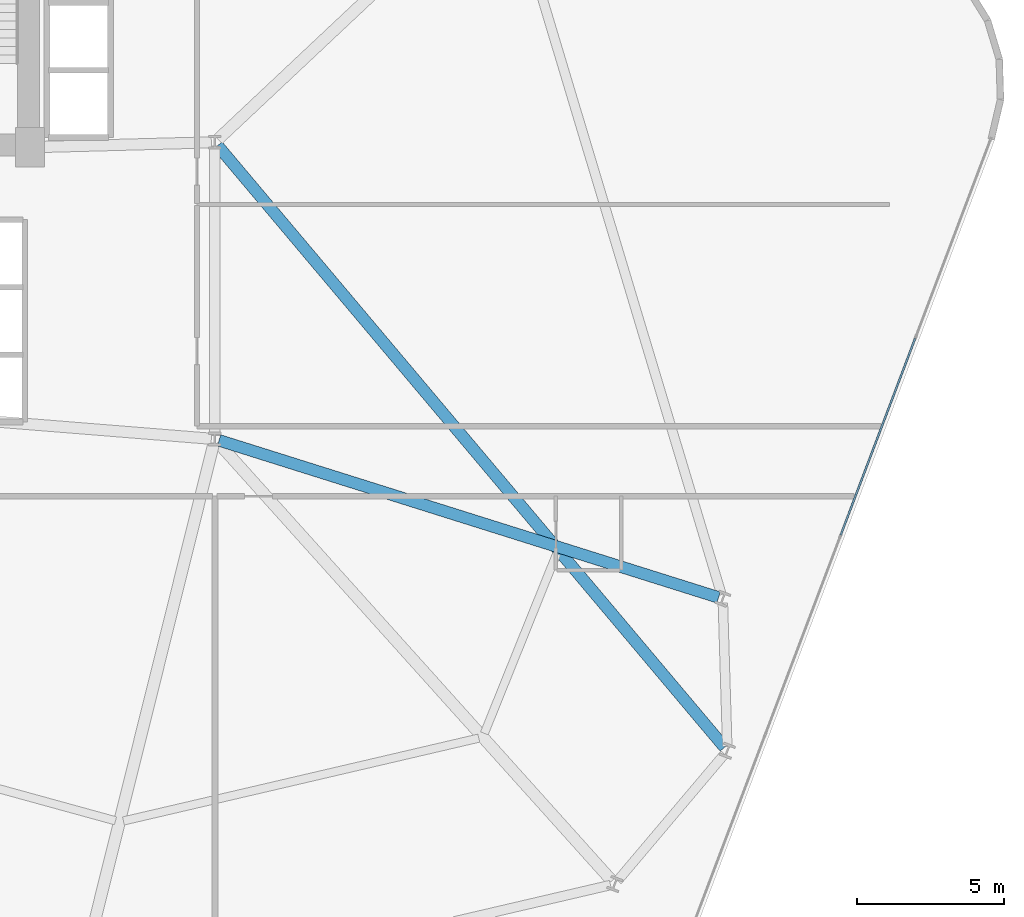
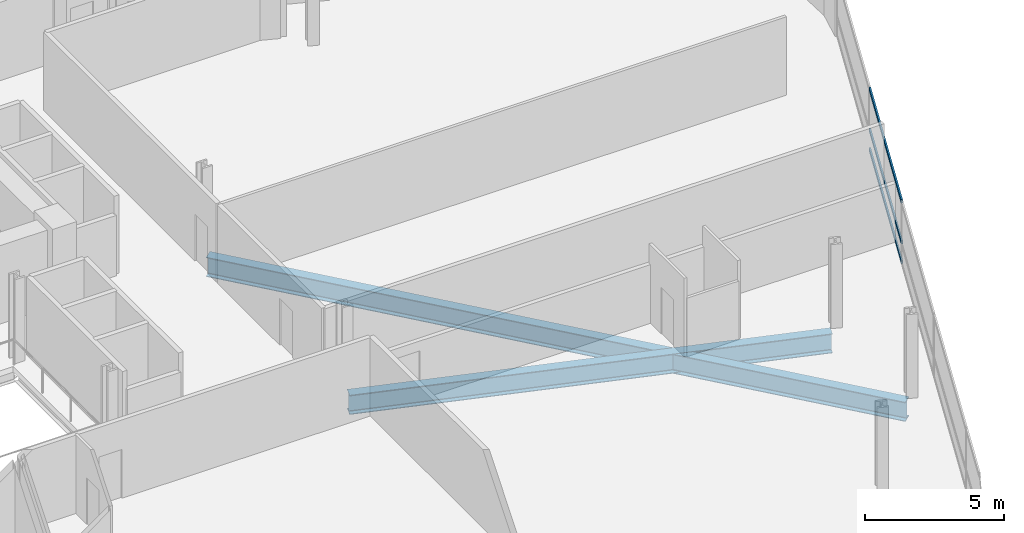
# One storey, part 13 of 25: 3 members, 2 beams, 1 element without a shape of its own.
"""IFC4 building model written with IfcOpenShell, lengths in metres."""

from ifc_helpers import new_model, si_unit, direction, frame, origin, origin_2d, place, context, subcontext, project, spatial, hollow_rectangle, i_section, extrude, material, layer, layer_set, material_profile, profile_set, type_object, element, aggregate, save


model = new_model("IFC4")

# Units and contexts
model_context = context("Model", 3, precision=1e-05, world=origin(), true_north=direction((0.0, 1.0)))
body_context = subcontext(model_context, "Body", "Model", "MODEL_VIEW")
ifc_project = project(units=[si_unit("LENGTHUNIT", "METRE"), si_unit("AREAUNIT", "SQUARE_METRE"), si_unit("VOLUMEUNIT", "CUBIC_METRE"), si_unit("PLANEANGLEUNIT", "RADIAN"), si_unit("MASSUNIT", "GRAM", prefix="KILO")], contexts=[model_context])

# Site, building, storey
site_placement = place(None, origin())
site = spatial("IfcSite", under=ifc_project, at=site_placement, CompositionType="ELEMENT")
building_placement = place(site_placement, origin())
building = spatial("IfcBuilding", under=site, at=building_placement, Name="Varnelok Gate Tower", CompositionType="ELEMENT")
storey_placement = place(building_placement, frame((0.0, 0.0, 105.800048828125)))
storey = spatial("IfcBuildingStorey", under=building, at=storey_placement, Name="L26", CompositionType="ELEMENT", Elevation=105.800048828125)

# Beams
ifc_material_1 = material(Name="Structural Steel ASTM A992 Grade 50", Category="steel")
ifc_material_profile_1 = material_profile(ifc_material_1, i_section(OverallWidth=0.39892578125, OverallDepth=0.85498046875, WebThickness=0.018310546875, FlangeThickness=0.029296875, FilletRadius=0.02392578125, at=origin_2d()), Name="W33X201")
ifc_profile_set_1 = profile_set([ifc_material_profile_1], Name="Structural Steel ASTM A992 Grade 50")
beam_type = type_object("IfcBeamType", Name="BM-PRI-W33X201", PredefinedType="BEAM", material=ifc_profile_set_1)
beam_1_placement = place(storey_placement, frame((54.0966796875, 28.805419921875, -0.677490234375), z_axis=(0.644241110533, -0.764822457502, 0.0), x_axis=(0.764822457502, 0.644241110533, 0.0)))
element("IfcBeam", 1, at=beam_1_placement, inside=storey, type_object=beam_type, Name="L26 Radial Floor Girder 7", PredefinedType="BEAM", context=body_context, shape_type="SweptSolid", body=[
    extrude(i_section(OverallWidth=0.39892578125, OverallDepth=0.85498046875, WebThickness=0.018310546875, FlangeThickness=0.029296875, FilletRadius=0.02392578125, at=origin_2d()), origin(), (0.0, 0.0, 1.0), 26.8271484375),
])
beam_2_placement = place(storey_placement, frame((54.14306640625, 18.7548828125, -0.677490234375), z_axis=(0.953948561039, -0.299970236678, 0.0), x_axis=(0.299970236678, 0.953948561039, 0.0)))
element("IfcBeam", 2, at=beam_2_placement, inside=storey, type_object=beam_type, Name="L26 Radial Floor Girder 8", PredefinedType="BEAM", context=body_context, shape_type="SweptSolid", body=[
    extrude(i_section(OverallWidth=0.39892578125, OverallDepth=0.85498046875, WebThickness=0.018310546875, FlangeThickness=0.029296875, FilletRadius=0.02392578125, at=origin_2d()), origin(), (0.0, 0.0, 1.0), 17.85498046875),
])

# Curtain wall, members
ifc_material_2 = material(Name="Anodized Aluminum Alloy 6063-T6", Category="aluminium")
ifc_layer = layer(ifc_material_2, 0.179931640625)
ifc_layer_set = layer_set([ifc_layer], Name="Anodized Aluminum Alloy 6063-T6")
curtain_wall_type = type_object("IfcCurtainWallType", Name="CW3-HOTEL-VISION", PredefinedType="USERDEFINED", material=ifc_layer_set)
curtain_wall_placement = place(storey_placement, origin())
curtain_wall = element("IfcCurtainWall", 3, at=curtain_wall_placement, inside=storey, type_object=curtain_wall_type, Name="L26 East End Vision Curtain Wall", ObjectType="UNITISED CURTAIN WALL", PredefinedType="USERDEFINED")
ifc_material_profile_2 = material_profile(ifc_material_2, hollow_rectangle(XDim=0.06494140625, YDim=0.159912109375, WallThickness=0.00390625, at=origin_2d()), Name="ALU160X65X4")
ifc_profile_set_2 = profile_set([ifc_material_profile_2], Name="Anodized Aluminum Alloy 6063-T6")
member_type = type_object("IfcMemberType", Name="CW-TRAN-160", PredefinedType="USERDEFINED", material=ifc_profile_set_2)
member_1_placement = place(storey_placement, frame((77.8798828125, 22.233642578125, 0.032470703125), z_axis=(-0.354048963644, -0.935226887628, 0.0), x_axis=(0.935226887628, -0.354048963644, 0.0)))
member_1 = element("IfcMember", 4, at=member_1_placement, type_object=member_type, Name="CW3 transom 2.1", ObjectType="TRANSOM", PredefinedType="USERDEFINED", context=body_context, shape_type="SweptSolid", body=[
    extrude(hollow_rectangle(XDim=0.06494140625, YDim=0.159912109375, WallThickness=0.00390625, at=origin_2d()), origin(), (0.0, 0.0, 1.0), 7.175048828125),
])
member_2_placement = place(storey_placement, frame((77.8798828125, 22.233642578125, 0.89990234375), z_axis=(-0.354048963644, -0.935226887628, 0.0), x_axis=(0.935226887628, -0.354048963644, 0.0)))
member_2 = element("IfcMember", 5, at=member_2_placement, type_object=member_type, Name="CW3 transom 2.2", ObjectType="TRANSOM", PredefinedType="USERDEFINED", context=body_context, shape_type="SweptSolid", body=[
    extrude(hollow_rectangle(XDim=0.06494140625, YDim=0.159912109375, WallThickness=0.00390625, at=origin_2d()), origin(), (0.0, 0.0, 1.0), 7.175048828125),
])
member_3_placement = place(storey_placement, frame((77.8798828125, 22.233642578125, 2.697509765625), z_axis=(-0.354048963644, -0.935226887628, 0.0), x_axis=(0.935226887628, -0.354048963644, 0.0)))
member_3 = element("IfcMember", 6, at=member_3_placement, type_object=member_type, Name="CW3 transom 2.3", ObjectType="TRANSOM", PredefinedType="USERDEFINED", context=body_context, shape_type="SweptSolid", body=[
    extrude(hollow_rectangle(XDim=0.06494140625, YDim=0.159912109375, WallThickness=0.00390625, at=origin_2d()), origin(), (0.0, 0.0, 1.0), 7.175048828125),
])
aggregate(curtain_wall, [member_1, member_2, member_3])

save(model, "model.ifc")
